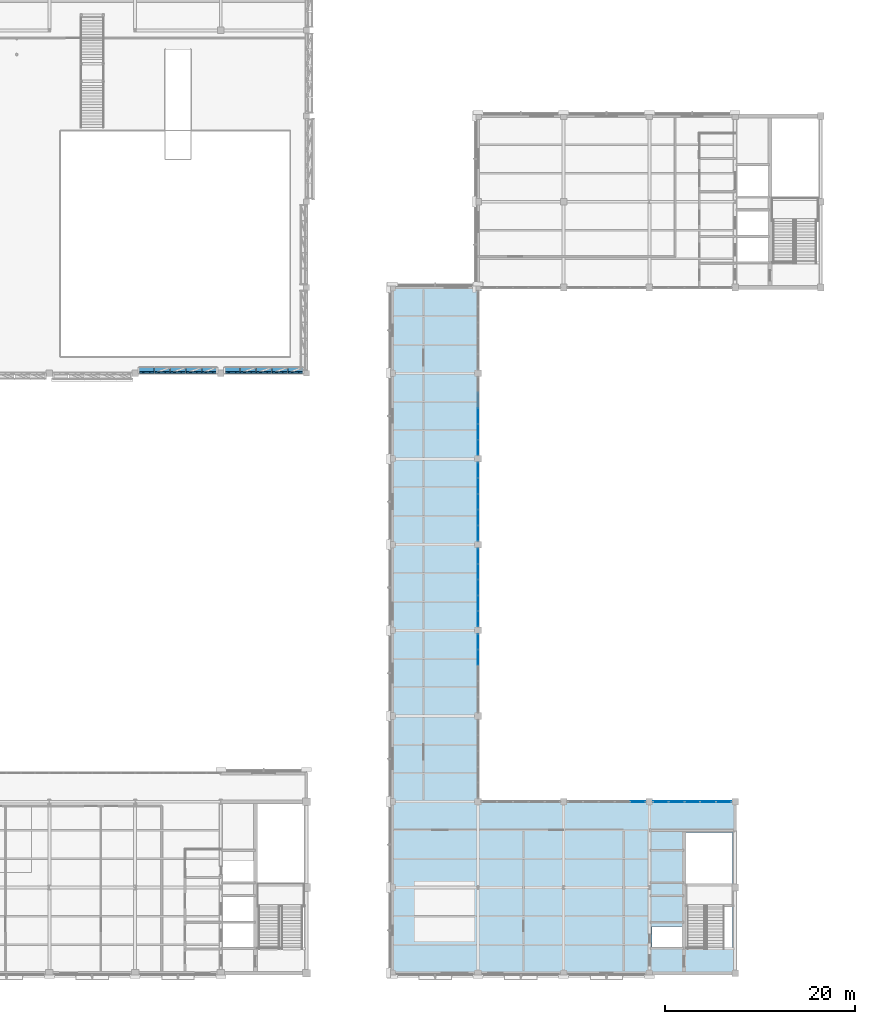
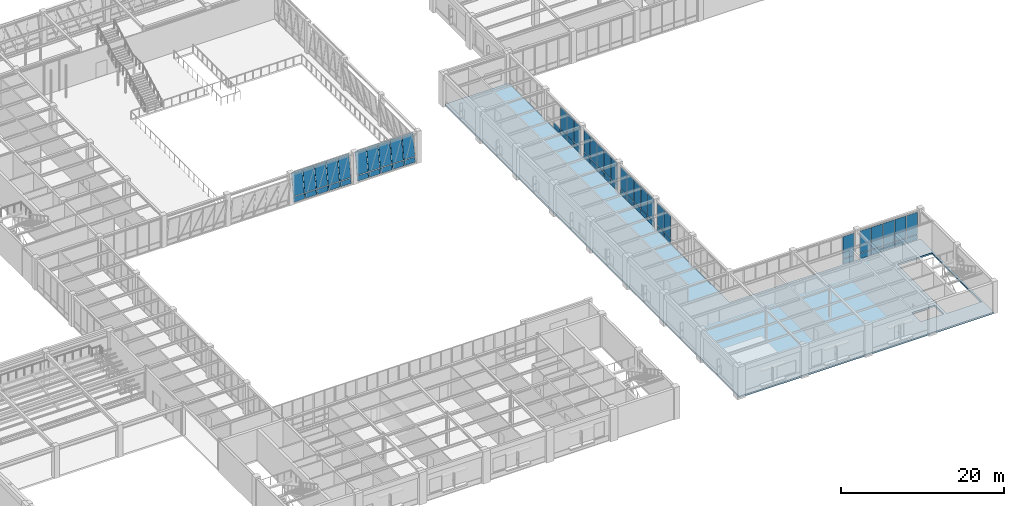
# One storey, part 70 of 98: 63 plates, 1 slab, 1 opening, 8 elements without a shape of their own.
"""IFC4 building model written with IfcOpenShell, lengths in metres."""

from ifc_helpers import new_model, si_unit, direction, frame, origin, origin_2d, place, context, subcontext, project, spatial, polyline, rectangle, outline, extrude, material, layer, layer_set, type_object, element, aggregate, save


model = new_model("IFC4")

# Units and contexts
model_context = context("Model", 3, precision=1e-05, world=origin(), true_north=direction((0.0, 1.0)))
body_context = subcontext(model_context, "Body", "Model", "MODEL_VIEW")
ifc_project = project(units=[si_unit("LENGTHUNIT", "METRE"), si_unit("AREAUNIT", "SQUARE_METRE"), si_unit("VOLUMEUNIT", "CUBIC_METRE"), si_unit("PLANEANGLEUNIT", "RADIAN"), si_unit("MASSUNIT", "GRAM", prefix="KILO")], contexts=[model_context])

# Site, building, storey
site_placement = place(None, origin())
site = spatial("IfcSite", under=ifc_project, at=site_placement, CompositionType="ELEMENT")
building_placement = place(site_placement, origin())
building = spatial("IfcBuilding", under=site, at=building_placement, Name="Lykobir Media Centre", CompositionType="ELEMENT")
storey_placement = place(building_placement, frame((0.0, 0.0, 10.199951171875)))
storey = spatial("IfcBuildingStorey", under=building, at=storey_placement, Name="L02", CompositionType="ELEMENT", Elevation=10.199951171875)

# Curtain wall, plate
ifc_material_1 = material(Name="Anodized Aluminium AW-6060", Category="aluminium")
curtain_wall_type_1 = type_object("IfcCurtainWallType", Name="CW-COURT-A", PredefinedType="NOTDEFINED", material=ifc_material_1)
curtain_wall_1_placement = place(storey_placement, origin())
curtain_wall_1 = element("IfcCurtainWall", 1, at=curtain_wall_1_placement, inside=storey, type_object=curtain_wall_type_1, Name="Curtain wall CW2-L02-0100", PredefinedType="NOTDEFINED")
ifc_material_2 = material(Name="Low-E Laminated Triple Glazing", Category="glass")
ifc_layer_1 = layer(ifc_material_2, 0.0380859375, Name="Low-E Laminated Triple Glazing")
ifc_layer_set_1 = layer_set([ifc_layer_1], Name="Low-E Laminated Triple Glazing")
plate_type_1 = type_object("IfcPlateType", Name="CWP-GLZ-38", PredefinedType="CURTAIN_PANEL", material=ifc_layer_set_1)
plate_1_placement = place(storey_placement, frame((115.7998046875, 18.0, 0.882568359375), z_axis=(0.0, 0.0, 1.0), x_axis=(1.0, 0.0, 0.0)))
plate_1 = element("IfcPlate", 2, at=plate_1_placement, type_object=plate_type_1, Name="CW2-L02-0100 panel 5.2", PredefinedType="CURTAIN_PANEL", context=body_context, shape_type="SweptSolid", body=[
    extrude(rectangle(XDim=1.560546875, YDim=0.0380859375, at=origin_2d()), origin(), (0.0, 0.0, 1.0), 3.28759765625),
])

# Curtain wall, plates
curtain_wall_2_placement = place(storey_placement, origin())
curtain_wall_2 = element("IfcCurtainWall", 3, at=curtain_wall_2_placement, inside=storey, type_object=curtain_wall_type_1, Name="Curtain wall CW2-L02-0101", PredefinedType="NOTDEFINED")
plate_2_placement = place(storey_placement, frame((118.2001953125, 18.0, 0.882568359375), z_axis=(0.0, 0.0, 1.0), x_axis=(1.0, 0.0, 0.0)))
plate_2 = element("IfcPlate", 4, at=plate_2_placement, type_object=plate_type_1, Name="CW2-L02-0101 panel 1.2", PredefinedType="CURTAIN_PANEL", context=body_context, shape_type="SweptSolid", body=[
    extrude(rectangle(XDim=1.560546875, YDim=0.0380859375, at=origin_2d()), origin(), (0.0, 0.0, 1.0), 3.28759765625),
])
plate_3_placement = place(storey_placement, frame((119.842041015625, 18.0, 0.882568359375), z_axis=(0.0, 0.0, 1.0), x_axis=(1.0, 0.0, 0.0)))
plate_3 = element("IfcPlate", 5, at=plate_3_placement, type_object=plate_type_1, Name="CW2-L02-0101 panel 2.2", PredefinedType="CURTAIN_PANEL", context=body_context, shape_type="SweptSolid", body=[
    extrude(rectangle(XDim=1.593017578125, YDim=0.0380859375, at=origin_2d()), origin(), (0.0, 0.0, 1.0), 3.28759765625),
])
plate_4_placement = place(storey_placement, frame((121.5, 18.0, 0.882568359375), z_axis=(0.0, 0.0, 1.0), x_axis=(1.0, 0.0, 0.0)))
plate_4 = element("IfcPlate", 6, at=plate_4_placement, type_object=plate_type_1, Name="CW2-L02-0101 panel 3.2", PredefinedType="CURTAIN_PANEL", context=body_context, shape_type="SweptSolid", body=[
    extrude(rectangle(XDim=1.593017578125, YDim=0.0380859375, at=origin_2d()), origin(), (0.0, 0.0, 1.0), 3.28759765625),
])
plate_5_placement = place(storey_placement, frame((123.157958984375, 18.0, 0.882568359375), z_axis=(0.0, 0.0, 1.0), x_axis=(1.0, 0.0, 0.0)))
plate_5 = element("IfcPlate", 7, at=plate_5_placement, type_object=plate_type_1, Name="CW2-L02-0101 panel 4.2", PredefinedType="CURTAIN_PANEL", context=body_context, shape_type="SweptSolid", body=[
    extrude(rectangle(XDim=1.593017578125, YDim=0.0380859375, at=origin_2d()), origin(), (0.0, 0.0, 1.0), 3.28759765625),
])
plate_6_placement = place(storey_placement, frame((124.7998046875, 18.0, 0.882568359375), z_axis=(0.0, 0.0, 1.0), x_axis=(1.0, 0.0, 0.0)))
plate_6 = element("IfcPlate", 8, at=plate_6_placement, type_object=plate_type_1, Name="CW2-L02-0101 panel 5.2", PredefinedType="CURTAIN_PANEL", context=body_context, shape_type="SweptSolid", body=[
    extrude(rectangle(XDim=1.560546875, YDim=0.0380859375, at=origin_2d()), origin(), (0.0, 0.0, 1.0), 3.28759765625),
])

curtain_wall_3_placement = place(storey_placement, origin())
curtain_wall_3 = element("IfcCurtainWall", 9, at=curtain_wall_3_placement, inside=storey, type_object=curtain_wall_type_1, Name="Curtain wall CW2-L02-0103", PredefinedType="NOTDEFINED")
plate_7_placement = place(storey_placement, frame((99.0, 34.7998046875, 0.882568359375), z_axis=(0.0, 0.0, 1.0), x_axis=(0.0, -1.0, 0.0)))
plate_7 = element("IfcPlate", 10, at=plate_7_placement, type_object=plate_type_1, Name="CW2-L02-0103 panel 1.2", PredefinedType="CURTAIN_PANEL", context=body_context, shape_type="SweptSolid", body=[
    extrude(rectangle(XDim=1.560546875, YDim=0.0380859375, at=origin_2d()), origin(), (0.0, 0.0, 1.0), 3.267578125),
])
plate_8_placement = place(storey_placement, frame((99.0, 33.157958984375, 0.882568359375), z_axis=(0.0, 0.0, 1.0), x_axis=(0.0, -1.0, 0.0)))
plate_8 = element("IfcPlate", 11, at=plate_8_placement, type_object=plate_type_1, Name="CW2-L02-0103 panel 2.2", PredefinedType="CURTAIN_PANEL", context=body_context, shape_type="SweptSolid", body=[
    extrude(rectangle(XDim=1.593017578125, YDim=0.0380859375, at=origin_2d()), origin(), (0.0, 0.0, 1.0), 3.267578125),
])

curtain_wall_4_placement = place(storey_placement, origin())
curtain_wall_4 = element("IfcCurtainWall", 12, at=curtain_wall_4_placement, inside=storey, type_object=curtain_wall_type_1, Name="Curtain wall CW2-L02-0104", PredefinedType="NOTDEFINED")
plate_9_placement = place(storey_placement, frame((99.0, 43.7998046875, 0.882568359375), z_axis=(0.0, 0.0, 1.0), x_axis=(0.0, -1.0, 0.0)))
plate_9 = element("IfcPlate", 13, at=plate_9_placement, type_object=plate_type_1, Name="CW2-L02-0104 panel 1.2", PredefinedType="CURTAIN_PANEL", context=body_context, shape_type="SweptSolid", body=[
    extrude(rectangle(XDim=1.560546875, YDim=0.0380859375, at=origin_2d()), origin(), (0.0, 0.0, 1.0), 3.267578125),
])
plate_10_placement = place(storey_placement, frame((99.0, 42.157958984375, 0.882568359375), z_axis=(0.0, 0.0, 1.0), x_axis=(0.0, -1.0, 0.0)))
plate_10 = element("IfcPlate", 14, at=plate_10_placement, type_object=plate_type_1, Name="CW2-L02-0104 panel 2.2", PredefinedType="CURTAIN_PANEL", context=body_context, shape_type="SweptSolid", body=[
    extrude(rectangle(XDim=1.593017578125, YDim=0.0380859375, at=origin_2d()), origin(), (0.0, 0.0, 1.0), 3.267578125),
])
plate_11_placement = place(storey_placement, frame((99.0, 40.5, 0.882568359375), z_axis=(0.0, 0.0, 1.0), x_axis=(0.0, -1.0, 0.0)))
plate_11 = element("IfcPlate", 15, at=plate_11_placement, type_object=plate_type_1, Name="CW2-L02-0104 panel 3.2", PredefinedType="CURTAIN_PANEL", context=body_context, shape_type="SweptSolid", body=[
    extrude(rectangle(XDim=1.593017578125, YDim=0.0380859375, at=origin_2d()), origin(), (0.0, 0.0, 1.0), 3.267578125),
])
plate_12_placement = place(storey_placement, frame((99.0, 38.842041015625, 0.882568359375), z_axis=(0.0, 0.0, 1.0), x_axis=(0.0, -1.0, 0.0)))
plate_12 = element("IfcPlate", 16, at=plate_12_placement, type_object=plate_type_1, Name="CW2-L02-0104 panel 4.2", PredefinedType="CURTAIN_PANEL", context=body_context, shape_type="SweptSolid", body=[
    extrude(rectangle(XDim=1.593017578125, YDim=0.0380859375, at=origin_2d()), origin(), (0.0, 0.0, 1.0), 3.267578125),
])
plate_13_placement = place(storey_placement, frame((99.0, 37.2001953125, 0.882568359375), z_axis=(0.0, 0.0, 1.0), x_axis=(0.0, -1.0, 0.0)))
plate_13 = element("IfcPlate", 17, at=plate_13_placement, type_object=plate_type_1, Name="CW2-L02-0104 panel 5.2", PredefinedType="CURTAIN_PANEL", context=body_context, shape_type="SweptSolid", body=[
    extrude(rectangle(XDim=1.560546875, YDim=0.0380859375, at=origin_2d()), origin(), (0.0, 0.0, 1.0), 3.267578125),
])

curtain_wall_5_placement = place(storey_placement, origin())
curtain_wall_5 = element("IfcCurtainWall", 18, at=curtain_wall_5_placement, inside=storey, type_object=curtain_wall_type_1, Name="Curtain wall CW2-L02-0105", PredefinedType="NOTDEFINED")
plate_14_placement = place(storey_placement, frame((99.0, 52.7998046875, 0.882568359375), z_axis=(0.0, 0.0, 1.0), x_axis=(0.0, -1.0, 0.0)))
plate_14 = element("IfcPlate", 19, at=plate_14_placement, type_object=plate_type_1, Name="CW2-L02-0105 panel 1.2", PredefinedType="CURTAIN_PANEL", context=body_context, shape_type="SweptSolid", body=[
    extrude(rectangle(XDim=1.560546875, YDim=0.0380859375, at=origin_2d()), origin(), (0.0, 0.0, 1.0), 3.267578125),
])
plate_15_placement = place(storey_placement, frame((99.0, 51.157958984375, 0.882568359375), z_axis=(0.0, 0.0, 1.0), x_axis=(0.0, -1.0, 0.0)))
plate_15 = element("IfcPlate", 20, at=plate_15_placement, type_object=plate_type_1, Name="CW2-L02-0105 panel 2.2", PredefinedType="CURTAIN_PANEL", context=body_context, shape_type="SweptSolid", body=[
    extrude(rectangle(XDim=1.593017578125, YDim=0.0380859375, at=origin_2d()), origin(), (0.0, 0.0, 1.0), 3.267578125),
])
plate_16_placement = place(storey_placement, frame((99.0, 49.5, 0.882568359375), z_axis=(0.0, 0.0, 1.0), x_axis=(0.0, -1.0, 0.0)))
plate_16 = element("IfcPlate", 21, at=plate_16_placement, type_object=plate_type_1, Name="CW2-L02-0105 panel 3.2", PredefinedType="CURTAIN_PANEL", context=body_context, shape_type="SweptSolid", body=[
    extrude(rectangle(XDim=1.593017578125, YDim=0.0380859375, at=origin_2d()), origin(), (0.0, 0.0, 1.0), 3.267578125),
])
plate_17_placement = place(storey_placement, frame((99.0, 47.842041015625, 0.882568359375), z_axis=(0.0, 0.0, 1.0), x_axis=(0.0, -1.0, 0.0)))
plate_17 = element("IfcPlate", 22, at=plate_17_placement, type_object=plate_type_1, Name="CW2-L02-0105 panel 4.2", PredefinedType="CURTAIN_PANEL", context=body_context, shape_type="SweptSolid", body=[
    extrude(rectangle(XDim=1.593017578125, YDim=0.0380859375, at=origin_2d()), origin(), (0.0, 0.0, 1.0), 3.267578125),
])
plate_18_placement = place(storey_placement, frame((99.0, 46.2001953125, 0.882568359375), z_axis=(0.0, 0.0, 1.0), x_axis=(0.0, -1.0, 0.0)))
plate_18 = element("IfcPlate", 23, at=plate_18_placement, type_object=plate_type_1, Name="CW2-L02-0105 panel 5.2", PredefinedType="CURTAIN_PANEL", context=body_context, shape_type="SweptSolid", body=[
    extrude(rectangle(XDim=1.560546875, YDim=0.0380859375, at=origin_2d()), origin(), (0.0, 0.0, 1.0), 3.267578125),
])

curtain_wall_6_placement = place(storey_placement, origin())
curtain_wall_6 = element("IfcCurtainWall", 24, at=curtain_wall_6_placement, inside=storey, type_object=curtain_wall_type_1, Name="Curtain wall CW2-L02-0106", PredefinedType="NOTDEFINED")
plate_19_placement = place(storey_placement, frame((99.0, 58.5, 0.882568359375), z_axis=(0.0, 0.0, 1.0), x_axis=(0.0, -1.0, 0.0)))
plate_19 = element("IfcPlate", 25, at=plate_19_placement, type_object=plate_type_1, Name="CW2-L02-0106 panel 3.2", PredefinedType="CURTAIN_PANEL", context=body_context, shape_type="SweptSolid", body=[
    extrude(rectangle(XDim=1.593017578125, YDim=0.0380859375, at=origin_2d()), origin(), (0.0, 0.0, 1.0), 3.267578125),
])
plate_20_placement = place(storey_placement, frame((99.0, 56.842041015625, 0.882568359375), z_axis=(0.0, 0.0, 1.0), x_axis=(0.0, -1.0, 0.0)))
plate_20 = element("IfcPlate", 26, at=plate_20_placement, type_object=plate_type_1, Name="CW2-L02-0106 panel 4.2", PredefinedType="CURTAIN_PANEL", context=body_context, shape_type="SweptSolid", body=[
    extrude(rectangle(XDim=1.593017578125, YDim=0.0380859375, at=origin_2d()), origin(), (0.0, 0.0, 1.0), 3.267578125),
])
plate_21_placement = place(storey_placement, frame((99.0, 55.2001953125, 0.882568359375), z_axis=(0.0, 0.0, 1.0), x_axis=(0.0, -1.0, 0.0)))
plate_21 = element("IfcPlate", 27, at=plate_21_placement, type_object=plate_type_1, Name="CW2-L02-0106 panel 5.2", PredefinedType="CURTAIN_PANEL", context=body_context, shape_type="SweptSolid", body=[
    extrude(rectangle(XDim=1.560546875, YDim=0.0380859375, at=origin_2d()), origin(), (0.0, 0.0, 1.0), 3.267578125),
])

curtain_wall_type_2 = type_object("IfcCurtainWallType", Name="CW-V6-CR2", PredefinedType="NOTDEFINED", material=ifc_material_1)
curtain_wall_7_placement = place(storey_placement, origin())
curtain_wall_7 = element("IfcCurtainWall", 28, at=curtain_wall_7_placement, inside=storey, type_object=curtain_wall_type_2, Name="Curtain wall CW2-L02-0085", PredefinedType="NOTDEFINED")
ifc_layer_2 = layer(ifc_material_2, 0.0439453125, Name="Low-E Laminated Triple Glazing")
ifc_layer_set_2 = layer_set([ifc_layer_2], Name="Low-E Laminated Triple Glazing")
plate_type_2 = type_object("IfcPlateType", Name="CWP-GLZ-44", PredefinedType="CURTAIN_PANEL", material=ifc_layer_set_2)
plate_22_placement = place(storey_placement, frame((70.797119140625, 63.126708984375, 0.87841796875), z_axis=(0.0, 0.142628933706, 0.989776230908), x_axis=(-1.0, 0.0, 0.0)))
plate_22 = element("IfcPlate", 29, at=plate_22_placement, type_object=plate_type_2, Name="CW2-L02-0085 panel 1.2", PredefinedType="CURTAIN_PANEL", context=body_context, shape_type="SweptSolid", body=[
    extrude(rectangle(XDim=1.54541015625, YDim=0.0439453125, at=origin_2d()), origin(), (0.0, 0.0, 1.0), 3.316162109375),
])
plate_23_placement = place(storey_placement, frame((69.157958984375, 63.126708984375, 0.87841796875), z_axis=(0.0, 0.142628933706, 0.989776230908), x_axis=(-1.0, 0.0, 0.0)))
plate_23 = element("IfcPlate", 30, at=plate_23_placement, type_object=plate_type_2, Name="CW2-L02-0085 panel 2.2", PredefinedType="CURTAIN_PANEL", context=body_context, shape_type="SweptSolid", body=[
    extrude(rectangle(XDim=1.5830078125, YDim=0.0439453125, at=origin_2d()), origin(), (0.0, 0.0, 1.0), 3.316162109375),
])
plate_24_placement = place(storey_placement, frame((67.5, 63.126708984375, 0.87841796875), z_axis=(0.0, 0.142628933706, 0.989776230908), x_axis=(-1.0, 0.0, 0.0)))
plate_24 = element("IfcPlate", 31, at=plate_24_placement, type_object=plate_type_2, Name="CW2-L02-0085 panel 3.2", PredefinedType="CURTAIN_PANEL", context=body_context, shape_type="SweptSolid", body=[
    extrude(rectangle(XDim=1.5830078125, YDim=0.0439453125, at=origin_2d()), origin(), (0.0, 0.0, 1.0), 3.316162109375),
])
plate_25_placement = place(storey_placement, frame((65.842041015625, 63.126708984375, 0.87841796875), z_axis=(0.0, 0.142628933706, 0.989776230908), x_axis=(-1.0, 0.0, 0.0)))
plate_25 = element("IfcPlate", 32, at=plate_25_placement, type_object=plate_type_2, Name="CW2-L02-0085 panel 4.2", PredefinedType="CURTAIN_PANEL", context=body_context, shape_type="SweptSolid", body=[
    extrude(rectangle(XDim=1.5830078125, YDim=0.0439453125, at=origin_2d()), origin(), (0.0, 0.0, 1.0), 3.316162109375),
])
plate_26_placement = place(storey_placement, frame((64.20263671875, 63.126708984375, 0.87841796875), z_axis=(0.0, 0.142628933706, 0.989776230908), x_axis=(-1.0, 0.0, 0.0)))
plate_26 = element("IfcPlate", 33, at=plate_26_placement, type_object=plate_type_2, Name="CW2-L02-0085 panel 5.2", PredefinedType="CURTAIN_PANEL", context=body_context, shape_type="SweptSolid", body=[
    extrude(rectangle(XDim=1.54541015625, YDim=0.0439453125, at=origin_2d()), origin(), (0.0, 0.0, 1.0), 3.316162109375),
])

curtain_wall_8_placement = place(storey_placement, origin())
curtain_wall_8 = element("IfcCurtainWall", 34, at=curtain_wall_8_placement, inside=storey, type_object=curtain_wall_type_2, Name="Curtain wall CW2-L02-0086", PredefinedType="NOTDEFINED")
plate_27_placement = place(storey_placement, frame((79.84228515625, 63.126708984375, 0.87841796875), z_axis=(0.0, 0.142628933706, 0.989776230908), x_axis=(-1.0, 0.0, 0.0)))
plate_27 = element("IfcPlate", 35, at=plate_27_placement, type_object=plate_type_2, Name="CW2-L02-0086 panel 1.2", PredefinedType="CURTAIN_PANEL", context=body_context, shape_type="SweptSolid", body=[
    extrude(rectangle(XDim=1.555419921875, YDim=0.0439453125, at=origin_2d()), origin(), (0.0, 0.0, 1.0), 3.316162109375),
])
plate_28_placement = place(storey_placement, frame((78.193115234375, 63.126708984375, 0.87841796875), z_axis=(0.0, 0.142628933706, 0.989776230908), x_axis=(-1.0, 0.0, 0.0)))
plate_28 = element("IfcPlate", 36, at=plate_28_placement, type_object=plate_type_2, Name="CW2-L02-0086 panel 2.2", PredefinedType="CURTAIN_PANEL", context=body_context, shape_type="SweptSolid", body=[
    extrude(rectangle(XDim=1.593017578125, YDim=0.0439453125, at=origin_2d()), origin(), (0.0, 0.0, 1.0), 3.316162109375),
])
plate_29_placement = place(storey_placement, frame((76.52490234375, 63.126708984375, 0.87841796875), z_axis=(0.0, 0.142628933706, 0.989776230908), x_axis=(-1.0, 0.0, 0.0)))
plate_29 = element("IfcPlate", 37, at=plate_29_placement, type_object=plate_type_2, Name="CW2-L02-0086 panel 3.2", PredefinedType="CURTAIN_PANEL", context=body_context, shape_type="SweptSolid", body=[
    extrude(rectangle(XDim=1.593017578125, YDim=0.0439453125, at=origin_2d()), origin(), (0.0, 0.0, 1.0), 3.316162109375),
])
plate_30_placement = place(storey_placement, frame((74.85693359375, 63.126708984375, 0.87841796875), z_axis=(0.0, 0.142628933706, 0.989776230908), x_axis=(-1.0, 0.0, 0.0)))
plate_30 = element("IfcPlate", 38, at=plate_30_placement, type_object=plate_type_2, Name="CW2-L02-0086 panel 4.2", PredefinedType="CURTAIN_PANEL", context=body_context, shape_type="SweptSolid", body=[
    extrude(rectangle(XDim=1.593017578125, YDim=0.0439453125, at=origin_2d()), origin(), (0.0, 0.0, 1.0), 3.316162109375),
])
plate_31_placement = place(storey_placement, frame((73.207763671875, 63.126708984375, 0.87841796875), z_axis=(0.0, 0.142628933706, 0.989776230908), x_axis=(-1.0, 0.0, 0.0)))
plate_31 = element("IfcPlate", 39, at=plate_31_placement, type_object=plate_type_2, Name="CW2-L02-0086 panel 5.2", PredefinedType="CURTAIN_PANEL", context=body_context, shape_type="SweptSolid", body=[
    extrude(rectangle(XDim=1.555419921875, YDim=0.0439453125, at=origin_2d()), origin(), (0.0, 0.0, 1.0), 3.316162109375),
])

# Plate
ifc_material_3 = material(Name="Pre-Weathered Titanium-Zinc", Category="metal")
ifc_layer_3 = layer(ifc_material_3, 0.052001953125, Name="Pre-Weathered Titanium-Zinc")
ifc_layer_set_3 = layer_set([ifc_layer_3], Name="Pre-Weathered Titanium-Zinc")
plate_type_3 = type_object("IfcPlateType", Name="CWP-SPN-52", PredefinedType="CURTAIN_PANEL", material=ifc_layer_set_3)
plate_32_placement = place(storey_placement, frame((70.797119140625, 63.0107421875, 0.07421875), z_axis=(0.0, 0.142628933706, 0.989776230908), x_axis=(-1.0, 0.0, 0.0)))
plate_32 = element("IfcPlate", 40, at=plate_32_placement, type_object=plate_type_3, Name="CW2-L02-0085 panel 1.1", PredefinedType="CURTAIN_PANEL", context=body_context, shape_type="SweptSolid", body=[
    extrude(rectangle(XDim=1.54541015625, YDim=0.052001953125, at=origin_2d()), origin(), (0.0, 0.0, 1.0), 0.737548828125),
])

plate_33_placement = place(storey_placement, frame((69.157958984375, 63.0107421875, 0.07421875), z_axis=(0.0, 0.142628933706, 0.989776230908), x_axis=(-1.0, 0.0, 0.0)))
plate_33 = element("IfcPlate", 41, at=plate_33_placement, type_object=plate_type_3, Name="CW2-L02-0085 panel 2.1", PredefinedType="CURTAIN_PANEL", context=body_context, shape_type="SweptSolid", body=[
    extrude(rectangle(XDim=1.5830078125, YDim=0.052001953125, at=origin_2d()), origin(), (0.0, 0.0, 1.0), 0.737548828125),
])

plate_34_placement = place(storey_placement, frame((67.5, 63.0107421875, 0.07421875), z_axis=(0.0, 0.142628933706, 0.989776230908), x_axis=(-1.0, 0.0, 0.0)))
plate_34 = element("IfcPlate", 42, at=plate_34_placement, type_object=plate_type_3, Name="CW2-L02-0085 panel 3.1", PredefinedType="CURTAIN_PANEL", context=body_context, shape_type="SweptSolid", body=[
    extrude(rectangle(XDim=1.5830078125, YDim=0.052001953125, at=origin_2d()), origin(), (0.0, 0.0, 1.0), 0.737548828125),
])

plate_35_placement = place(storey_placement, frame((65.842041015625, 63.0107421875, 0.07421875), z_axis=(0.0, 0.142628933706, 0.989776230908), x_axis=(-1.0, 0.0, 0.0)))
plate_35 = element("IfcPlate", 43, at=plate_35_placement, type_object=plate_type_3, Name="CW2-L02-0085 panel 4.1", PredefinedType="CURTAIN_PANEL", context=body_context, shape_type="SweptSolid", body=[
    extrude(rectangle(XDim=1.5830078125, YDim=0.052001953125, at=origin_2d()), origin(), (0.0, 0.0, 1.0), 0.737548828125),
])

plate_36_placement = place(storey_placement, frame((64.20263671875, 63.0107421875, 0.07421875), z_axis=(0.0, 0.142628933706, 0.989776230908), x_axis=(-1.0, 0.0, 0.0)))
plate_36 = element("IfcPlate", 44, at=plate_36_placement, type_object=plate_type_3, Name="CW2-L02-0085 panel 5.1", PredefinedType="CURTAIN_PANEL", context=body_context, shape_type="SweptSolid", body=[
    extrude(rectangle(XDim=1.54541015625, YDim=0.052001953125, at=origin_2d()), origin(), (0.0, 0.0, 1.0), 0.737548828125),
])

aggregate(curtain_wall_7, [plate_32, plate_22, plate_33, plate_23, plate_34, plate_24, plate_35, plate_25, plate_36, plate_26])

plate_37_placement = place(storey_placement, frame((79.84228515625, 63.0107421875, 0.07421875), z_axis=(0.0, 0.142628933706, 0.989776230908), x_axis=(-1.0, 0.0, 0.0)))
plate_37 = element("IfcPlate", 45, at=plate_37_placement, type_object=plate_type_3, Name="CW2-L02-0086 panel 1.1", PredefinedType="CURTAIN_PANEL", context=body_context, shape_type="SweptSolid", body=[
    extrude(rectangle(XDim=1.555419921875, YDim=0.052001953125, at=origin_2d()), origin(), (0.0, 0.0, 1.0), 0.737548828125),
])

plate_38_placement = place(storey_placement, frame((78.193115234375, 63.0107421875, 0.07421875), z_axis=(0.0, 0.142628933706, 0.989776230908), x_axis=(-1.0, 0.0, 0.0)))
plate_38 = element("IfcPlate", 46, at=plate_38_placement, type_object=plate_type_3, Name="CW2-L02-0086 panel 2.1", PredefinedType="CURTAIN_PANEL", context=body_context, shape_type="SweptSolid", body=[
    extrude(rectangle(XDim=1.593017578125, YDim=0.052001953125, at=origin_2d()), origin(), (0.0, 0.0, 1.0), 0.737548828125),
])

plate_39_placement = place(storey_placement, frame((76.52490234375, 63.0107421875, 0.07421875), z_axis=(0.0, 0.142628933706, 0.989776230908), x_axis=(-1.0, 0.0, 0.0)))
plate_39 = element("IfcPlate", 47, at=plate_39_placement, type_object=plate_type_3, Name="CW2-L02-0086 panel 3.1", PredefinedType="CURTAIN_PANEL", context=body_context, shape_type="SweptSolid", body=[
    extrude(rectangle(XDim=1.593017578125, YDim=0.052001953125, at=origin_2d()), origin(), (0.0, 0.0, 1.0), 0.737548828125),
])

plate_40_placement = place(storey_placement, frame((74.85693359375, 63.0107421875, 0.07421875), z_axis=(0.0, 0.142628933706, 0.989776230908), x_axis=(-1.0, 0.0, 0.0)))
plate_40 = element("IfcPlate", 48, at=plate_40_placement, type_object=plate_type_3, Name="CW2-L02-0086 panel 4.1", PredefinedType="CURTAIN_PANEL", context=body_context, shape_type="SweptSolid", body=[
    extrude(rectangle(XDim=1.593017578125, YDim=0.052001953125, at=origin_2d()), origin(), (0.0, 0.0, 1.0), 0.737548828125),
])

plate_41_placement = place(storey_placement, frame((73.207763671875, 63.0107421875, 0.07421875), z_axis=(0.0, 0.142628933706, 0.989776230908), x_axis=(-1.0, 0.0, 0.0)))
plate_41 = element("IfcPlate", 49, at=plate_41_placement, type_object=plate_type_3, Name="CW2-L02-0086 panel 5.1", PredefinedType="CURTAIN_PANEL", context=body_context, shape_type="SweptSolid", body=[
    extrude(rectangle(XDim=1.555419921875, YDim=0.052001953125, at=origin_2d()), origin(), (0.0, 0.0, 1.0), 0.737548828125),
])

aggregate(curtain_wall_8, [plate_37, plate_27, plate_38, plate_28, plate_39, plate_29, plate_40, plate_30, plate_41, plate_31])

ifc_material_4 = material(Name="Glazed Turquoise Terracotta", Category="masonry")
ifc_layer_4 = layer(ifc_material_4, 0.06005859375, Name="Glazed Turquoise Terracotta")
ifc_layer_set_4 = layer_set([ifc_layer_4], Name="Glazed Turquoise Terracotta")
plate_type_4 = type_object("IfcPlateType", Name="CWP-SPN-60", PredefinedType="CURTAIN_PANEL", material=ifc_layer_set_4)
plate_42_placement = place(storey_placement, frame((115.7998046875, 18.0, 0.06494140625), z_axis=(0.0, 0.0, 1.0), x_axis=(1.0, 0.0, 0.0)))
plate_42 = element("IfcPlate", 50, at=plate_42_placement, type_object=plate_type_4, Name="CW2-L02-0100 panel 5.1", PredefinedType="CURTAIN_PANEL", context=body_context, shape_type="SweptSolid", body=[
    extrude(rectangle(XDim=1.560546875, YDim=0.06005859375, at=origin_2d()), origin(), (0.0, 0.0, 1.0), 0.75244140625),
])

aggregate(curtain_wall_1, [plate_42, plate_1])

plate_43_placement = place(storey_placement, frame((118.2001953125, 18.0, 0.06494140625), z_axis=(0.0, 0.0, 1.0), x_axis=(1.0, 0.0, 0.0)))
plate_43 = element("IfcPlate", 51, at=plate_43_placement, type_object=plate_type_4, Name="CW2-L02-0101 panel 1.1", PredefinedType="CURTAIN_PANEL", context=body_context, shape_type="SweptSolid", body=[
    extrude(rectangle(XDim=1.560546875, YDim=0.06005859375, at=origin_2d()), origin(), (0.0, 0.0, 1.0), 0.75244140625),
])

plate_44_placement = place(storey_placement, frame((119.842041015625, 18.0, 0.06494140625), z_axis=(0.0, 0.0, 1.0), x_axis=(1.0, 0.0, 0.0)))
plate_44 = element("IfcPlate", 52, at=plate_44_placement, type_object=plate_type_4, Name="CW2-L02-0101 panel 2.1", PredefinedType="CURTAIN_PANEL", context=body_context, shape_type="SweptSolid", body=[
    extrude(rectangle(XDim=1.593017578125, YDim=0.06005859375, at=origin_2d()), origin(), (0.0, 0.0, 1.0), 0.75244140625),
])

plate_45_placement = place(storey_placement, frame((121.5, 18.0, 0.06494140625), z_axis=(0.0, 0.0, 1.0), x_axis=(1.0, 0.0, 0.0)))
plate_45 = element("IfcPlate", 53, at=plate_45_placement, type_object=plate_type_4, Name="CW2-L02-0101 panel 3.1", PredefinedType="CURTAIN_PANEL", context=body_context, shape_type="SweptSolid", body=[
    extrude(rectangle(XDim=1.593017578125, YDim=0.06005859375, at=origin_2d()), origin(), (0.0, 0.0, 1.0), 0.75244140625),
])

plate_46_placement = place(storey_placement, frame((123.157958984375, 18.0, 0.06494140625), z_axis=(0.0, 0.0, 1.0), x_axis=(1.0, 0.0, 0.0)))
plate_46 = element("IfcPlate", 54, at=plate_46_placement, type_object=plate_type_4, Name="CW2-L02-0101 panel 4.1", PredefinedType="CURTAIN_PANEL", context=body_context, shape_type="SweptSolid", body=[
    extrude(rectangle(XDim=1.593017578125, YDim=0.06005859375, at=origin_2d()), origin(), (0.0, 0.0, 1.0), 0.75244140625),
])

plate_47_placement = place(storey_placement, frame((124.7998046875, 18.0, 0.06494140625), z_axis=(0.0, 0.0, 1.0), x_axis=(1.0, 0.0, 0.0)))
plate_47 = element("IfcPlate", 55, at=plate_47_placement, type_object=plate_type_4, Name="CW2-L02-0101 panel 5.1", PredefinedType="CURTAIN_PANEL", context=body_context, shape_type="SweptSolid", body=[
    extrude(rectangle(XDim=1.560546875, YDim=0.06005859375, at=origin_2d()), origin(), (0.0, 0.0, 1.0), 0.75244140625),
])

aggregate(curtain_wall_2, [plate_43, plate_2, plate_44, plate_3, plate_45, plate_4, plate_46, plate_5, plate_47, plate_6])

plate_48_placement = place(storey_placement, frame((99.0, 34.7998046875, 0.06494140625), z_axis=(0.0, 0.0, 1.0), x_axis=(0.0, -1.0, 0.0)))
plate_48 = element("IfcPlate", 56, at=plate_48_placement, type_object=plate_type_4, Name="CW2-L02-0103 panel 1.1", PredefinedType="CURTAIN_PANEL", context=body_context, shape_type="SweptSolid", body=[
    extrude(rectangle(XDim=1.560546875, YDim=0.06005859375, at=origin_2d()), origin(), (0.0, 0.0, 1.0), 0.75244140625),
])

plate_49_placement = place(storey_placement, frame((99.0, 33.157958984375, 0.06494140625), z_axis=(0.0, 0.0, 1.0), x_axis=(0.0, -1.0, 0.0)))
plate_49 = element("IfcPlate", 57, at=plate_49_placement, type_object=plate_type_4, Name="CW2-L02-0103 panel 2.1", PredefinedType="CURTAIN_PANEL", context=body_context, shape_type="SweptSolid", body=[
    extrude(rectangle(XDim=1.593017578125, YDim=0.06005859375, at=origin_2d()), origin(), (0.0, 0.0, 1.0), 0.75244140625),
])

aggregate(curtain_wall_3, [plate_48, plate_7, plate_49, plate_8])

plate_50_placement = place(storey_placement, frame((99.0, 43.7998046875, 0.06494140625), z_axis=(0.0, 0.0, 1.0), x_axis=(0.0, -1.0, 0.0)))
plate_50 = element("IfcPlate", 58, at=plate_50_placement, type_object=plate_type_4, Name="CW2-L02-0104 panel 1.1", PredefinedType="CURTAIN_PANEL", context=body_context, shape_type="SweptSolid", body=[
    extrude(rectangle(XDim=1.560546875, YDim=0.06005859375, at=origin_2d()), origin(), (0.0, 0.0, 1.0), 0.75244140625),
])

plate_51_placement = place(storey_placement, frame((99.0, 42.157958984375, 0.06494140625), z_axis=(0.0, 0.0, 1.0), x_axis=(0.0, -1.0, 0.0)))
plate_51 = element("IfcPlate", 59, at=plate_51_placement, type_object=plate_type_4, Name="CW2-L02-0104 panel 2.1", PredefinedType="CURTAIN_PANEL", context=body_context, shape_type="SweptSolid", body=[
    extrude(rectangle(XDim=1.593017578125, YDim=0.06005859375, at=origin_2d()), origin(), (0.0, 0.0, 1.0), 0.75244140625),
])

plate_52_placement = place(storey_placement, frame((99.0, 40.5, 0.06494140625), z_axis=(0.0, 0.0, 1.0), x_axis=(0.0, -1.0, 0.0)))
plate_52 = element("IfcPlate", 60, at=plate_52_placement, type_object=plate_type_4, Name="CW2-L02-0104 panel 3.1", PredefinedType="CURTAIN_PANEL", context=body_context, shape_type="SweptSolid", body=[
    extrude(rectangle(XDim=1.593017578125, YDim=0.06005859375, at=origin_2d()), origin(), (0.0, 0.0, 1.0), 0.75244140625),
])

plate_53_placement = place(storey_placement, frame((99.0, 38.842041015625, 0.06494140625), z_axis=(0.0, 0.0, 1.0), x_axis=(0.0, -1.0, 0.0)))
plate_53 = element("IfcPlate", 61, at=plate_53_placement, type_object=plate_type_4, Name="CW2-L02-0104 panel 4.1", PredefinedType="CURTAIN_PANEL", context=body_context, shape_type="SweptSolid", body=[
    extrude(rectangle(XDim=1.593017578125, YDim=0.06005859375, at=origin_2d()), origin(), (0.0, 0.0, 1.0), 0.75244140625),
])

plate_54_placement = place(storey_placement, frame((99.0, 37.2001953125, 0.06494140625), z_axis=(0.0, 0.0, 1.0), x_axis=(0.0, -1.0, 0.0)))
plate_54 = element("IfcPlate", 62, at=plate_54_placement, type_object=plate_type_4, Name="CW2-L02-0104 panel 5.1", PredefinedType="CURTAIN_PANEL", context=body_context, shape_type="SweptSolid", body=[
    extrude(rectangle(XDim=1.560546875, YDim=0.06005859375, at=origin_2d()), origin(), (0.0, 0.0, 1.0), 0.75244140625),
])

aggregate(curtain_wall_4, [plate_50, plate_9, plate_51, plate_10, plate_52, plate_11, plate_53, plate_12, plate_54, plate_13])

plate_55_placement = place(storey_placement, frame((99.0, 52.7998046875, 0.06494140625), z_axis=(0.0, 0.0, 1.0), x_axis=(0.0, -1.0, 0.0)))
plate_55 = element("IfcPlate", 63, at=plate_55_placement, type_object=plate_type_4, Name="CW2-L02-0105 panel 1.1", PredefinedType="CURTAIN_PANEL", context=body_context, shape_type="SweptSolid", body=[
    extrude(rectangle(XDim=1.560546875, YDim=0.06005859375, at=origin_2d()), origin(), (0.0, 0.0, 1.0), 0.75244140625),
])

plate_56_placement = place(storey_placement, frame((99.0, 51.157958984375, 0.06494140625), z_axis=(0.0, 0.0, 1.0), x_axis=(0.0, -1.0, 0.0)))
plate_56 = element("IfcPlate", 64, at=plate_56_placement, type_object=plate_type_4, Name="CW2-L02-0105 panel 2.1", PredefinedType="CURTAIN_PANEL", context=body_context, shape_type="SweptSolid", body=[
    extrude(rectangle(XDim=1.593017578125, YDim=0.06005859375, at=origin_2d()), origin(), (0.0, 0.0, 1.0), 0.75244140625),
])

plate_57_placement = place(storey_placement, frame((99.0, 49.5, 0.06494140625), z_axis=(0.0, 0.0, 1.0), x_axis=(0.0, -1.0, 0.0)))
plate_57 = element("IfcPlate", 65, at=plate_57_placement, type_object=plate_type_4, Name="CW2-L02-0105 panel 3.1", PredefinedType="CURTAIN_PANEL", context=body_context, shape_type="SweptSolid", body=[
    extrude(rectangle(XDim=1.593017578125, YDim=0.06005859375, at=origin_2d()), origin(), (0.0, 0.0, 1.0), 0.75244140625),
])

plate_58_placement = place(storey_placement, frame((99.0, 47.842041015625, 0.06494140625), z_axis=(0.0, 0.0, 1.0), x_axis=(0.0, -1.0, 0.0)))
plate_58 = element("IfcPlate", 66, at=plate_58_placement, type_object=plate_type_4, Name="CW2-L02-0105 panel 4.1", PredefinedType="CURTAIN_PANEL", context=body_context, shape_type="SweptSolid", body=[
    extrude(rectangle(XDim=1.593017578125, YDim=0.06005859375, at=origin_2d()), origin(), (0.0, 0.0, 1.0), 0.75244140625),
])

plate_59_placement = place(storey_placement, frame((99.0, 46.2001953125, 0.06494140625), z_axis=(0.0, 0.0, 1.0), x_axis=(0.0, -1.0, 0.0)))
plate_59 = element("IfcPlate", 67, at=plate_59_placement, type_object=plate_type_4, Name="CW2-L02-0105 panel 5.1", PredefinedType="CURTAIN_PANEL", context=body_context, shape_type="SweptSolid", body=[
    extrude(rectangle(XDim=1.560546875, YDim=0.06005859375, at=origin_2d()), origin(), (0.0, 0.0, 1.0), 0.75244140625),
])

aggregate(curtain_wall_5, [plate_55, plate_14, plate_56, plate_15, plate_57, plate_16, plate_58, plate_17, plate_59, plate_18])

plate_60_placement = place(storey_placement, frame((99.0, 60.157958984375, 0.06494140625), z_axis=(0.0, 0.0, 1.0), x_axis=(0.0, -1.0, 0.0)))
plate_60 = element("IfcPlate", 68, at=plate_60_placement, type_object=plate_type_4, Name="CW2-L02-0106 panel 2.1", PredefinedType="CURTAIN_PANEL", context=body_context, shape_type="SweptSolid", body=[
    extrude(rectangle(XDim=1.593017578125, YDim=0.06005859375, at=origin_2d()), origin(), (0.0, 0.0, 1.0), 0.75244140625),
])

plate_61_placement = place(storey_placement, frame((99.0, 58.5, 0.06494140625), z_axis=(0.0, 0.0, 1.0), x_axis=(0.0, -1.0, 0.0)))
plate_61 = element("IfcPlate", 69, at=plate_61_placement, type_object=plate_type_4, Name="CW2-L02-0106 panel 3.1", PredefinedType="CURTAIN_PANEL", context=body_context, shape_type="SweptSolid", body=[
    extrude(rectangle(XDim=1.593017578125, YDim=0.06005859375, at=origin_2d()), origin(), (0.0, 0.0, 1.0), 0.75244140625),
])

plate_62_placement = place(storey_placement, frame((99.0, 56.842041015625, 0.06494140625), z_axis=(0.0, 0.0, 1.0), x_axis=(0.0, -1.0, 0.0)))
plate_62 = element("IfcPlate", 70, at=plate_62_placement, type_object=plate_type_4, Name="CW2-L02-0106 panel 4.1", PredefinedType="CURTAIN_PANEL", context=body_context, shape_type="SweptSolid", body=[
    extrude(rectangle(XDim=1.593017578125, YDim=0.06005859375, at=origin_2d()), origin(), (0.0, 0.0, 1.0), 0.75244140625),
])

plate_63_placement = place(storey_placement, frame((99.0, 55.2001953125, 0.06494140625), z_axis=(0.0, 0.0, 1.0), x_axis=(0.0, -1.0, 0.0)))
plate_63 = element("IfcPlate", 71, at=plate_63_placement, type_object=plate_type_4, Name="CW2-L02-0106 panel 5.1", PredefinedType="CURTAIN_PANEL", context=body_context, shape_type="SweptSolid", body=[
    extrude(rectangle(XDim=1.560546875, YDim=0.06005859375, at=origin_2d()), origin(), (0.0, 0.0, 1.0), 0.75244140625),
])

aggregate(curtain_wall_6, [plate_60, plate_61, plate_19, plate_62, plate_20, plate_63, plate_21])

# Slab, opening
ifc_material_5 = material(Name="Concrete C30/37", Category="concrete")
ifc_layer_5 = layer(ifc_material_5, 0.239990234375, Name="Concrete C30/37")
ifc_layer_set_5 = layer_set([ifc_layer_5], Name="Concrete C30/37")
slab_type = type_object("IfcSlabType", Name="FS-240", PredefinedType="FLOOR", material=ifc_layer_set_5)
slab_placement = place(storey_placement, frame((0.0, 0.0, -0.239990234375)))
slab = element("IfcSlab", 72, at=slab_placement, inside=storey, type_object=slab_type, Name="L02 structural slab 2", PredefinedType="FLOOR", context=body_context, shape_type="SweptSolid", body=[
    extrude(outline(polyline([(99.0, 18.0), (99.0, 72.0), (90.0, 72.0), (90.0, 18.0), (90.0, 0.0), (126.0, 0.0), (126.0, 18.0), (99.0, 18.0)]), holes=[polyline([(125.75, 2.64990234375), (120.85009765625, 2.64990234375), (120.85009765625, 14.75), (125.75, 14.75), (125.75, 2.64990234375)])]), origin(), (0.0, 0.0, 1.0), 0.239990234375),
])
opening_placement = place(slab_placement, frame((118.85009765625, 3.800048828125, 0.0)))
element("IfcOpeningElement", 73, at=opening_placement, cuts=slab, Name="Shaft opening C5-riser_shaft-L02", PredefinedType="OPENING", context=body_context, shape_type="SweptSolid", body=[
    extrude(rectangle(XDim=3.199951171875, YDim=2.199951171875, at=origin_2d()), origin(), (0.0, 0.0, 1.0), 0.239990234375),
])

save(model, "model.ifc")
